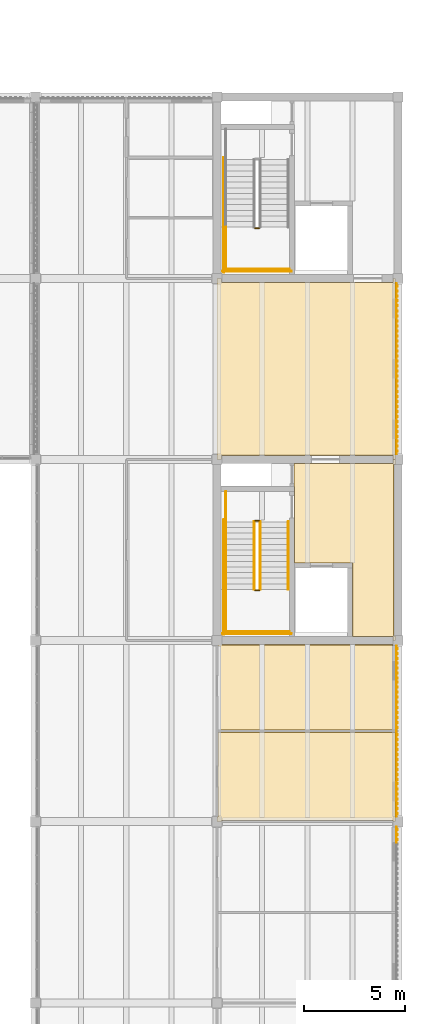
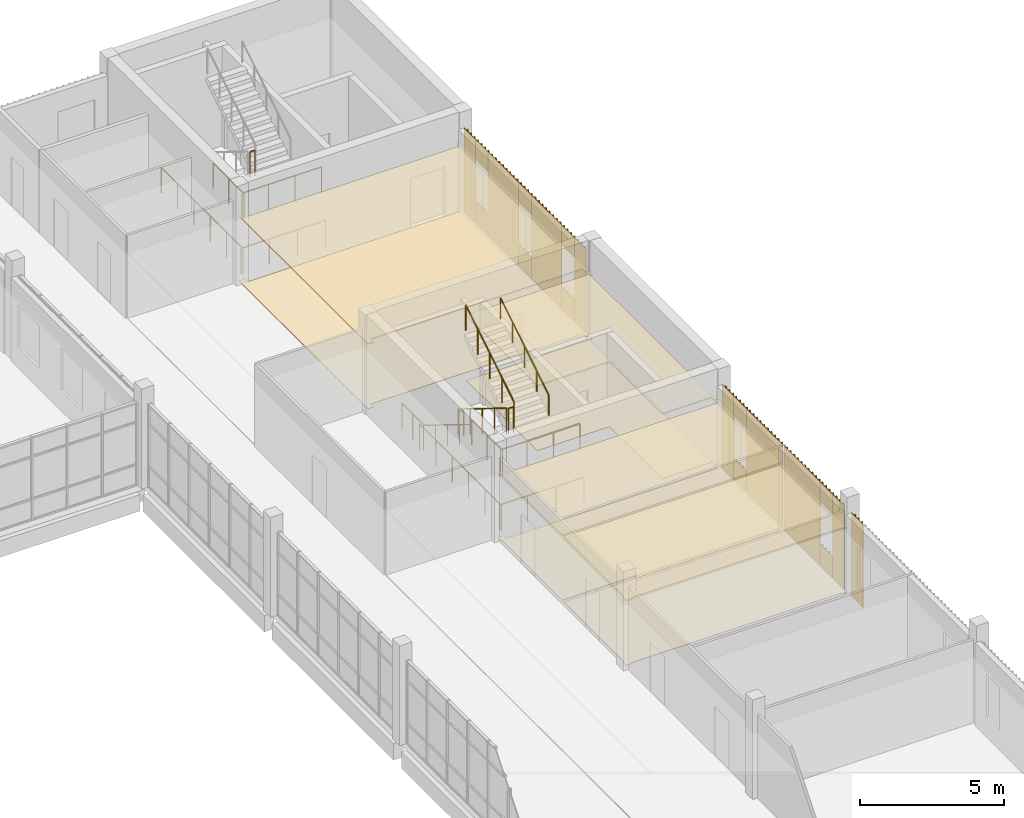
# One storey, part 85 of 92: 27 coverings, 16 railings.
"""IFC4 building model written with IfcOpenShell, lengths in metres."""

from ifc_helpers import new_model, si_unit, direction, frame, origin, origin_2d, place, context, subcontext, project, spatial, polyline, circle, outline, extrude, source, transform, mapped, material, layer, layer_set, type_object, element, save


model = new_model("IFC4")

# Units and contexts
model_context = context("Model", 3, precision=1e-05, world=origin(), true_north=direction((0.0, 1.0)))
body_context = subcontext(model_context, "Body", "Model", "MODEL_VIEW")
ifc_project = project(units=[si_unit("LENGTHUNIT", "METRE"), si_unit("AREAUNIT", "SQUARE_METRE"), si_unit("VOLUMEUNIT", "CUBIC_METRE"), si_unit("PLANEANGLEUNIT", "RADIAN"), si_unit("MASSUNIT", "GRAM", prefix="KILO")], contexts=[model_context])

# Site, building, storey
site_placement = place(None, origin())
site = spatial("IfcSite", under=ifc_project, at=site_placement, CompositionType="ELEMENT")
building_placement = place(site_placement, origin())
building = spatial("IfcBuilding", under=site, at=building_placement, Name="Merrow Basin Faculty of Sciences", CompositionType="ELEMENT")
storey_placement = place(building_placement, frame((0.0, 0.0, 4.5)))
storey = spatial("IfcBuildingStorey", under=building, at=storey_placement, Name="L01", CompositionType="ELEMENT", Elevation=4.5)

# Coverings
ifc_material_1 = material(Name="Carpet tile floor")
ifc_layer_1 = layer(ifc_material_1, 0.02001953125)
ifc_layer_set_1 = layer_set([ifc_layer_1], Name="Carpet tile floor")
covering_type_1 = type_object("IfcCoveringType", Name="Carpet tile floor", PredefinedType="FLOORING", material=ifc_layer_set_1)
covering_1_placement = place(storey_placement, origin())
element("IfcCovering", 1, at=covering_1_placement, inside=storey, type_object=covering_type_1, Name="Floor finish L01-C-029", PredefinedType="FLOORING", context=body_context, shape_type="SweptSolid", body=[
    extrude(outline(polyline([(63.010009765625, 97.239990234375), (63.06005859375, 97.239990234375), (63.06005859375, 101.43994140625), (71.889892578125, 101.43994140625), (71.889892578125, 97.010009765625), (71.760009765625, 97.010009765625), (71.760009765625, 97.06005859375), (63.239990234375, 97.06005859375), (63.239990234375, 97.010009765625), (63.010009765625, 97.010009765625), (63.010009765625, 97.239990234375)])), origin(), (0.0, 0.0, 1.0), 0.02001953125),
])
covering_2_placement = place(storey_placement, origin())
element("IfcCovering", 2, at=covering_2_placement, inside=storey, type_object=covering_type_1, Name="Floor finish L01-C-030", PredefinedType="FLOORING", context=body_context, shape_type="SweptSolid", body=[
    extrude(outline(polyline([(63.010009765625, 105.989990234375), (63.239990234375, 105.989990234375), (63.239990234375, 105.7900390625), (71.760009765625, 105.7900390625), (71.760009765625, 105.989990234375), (71.889892578125, 105.989990234375), (71.889892578125, 101.56005859375), (63.06005859375, 101.56005859375), (63.06005859375, 105.760009765625), (63.010009765625, 105.760009765625), (63.010009765625, 105.989990234375)])), origin(), (0.0, 0.0, 1.0), 0.02001953125),
])
ifc_material_2 = material(Name="Polished terrazzo floor")
ifc_layer_2 = layer(ifc_material_2, 0.02001953125)
ifc_layer_set_2 = layer_set([ifc_layer_2], Name="Polished terrazzo floor")
covering_type_2 = type_object("IfcCoveringType", Name="Polished terrazzo floor", PredefinedType="FLOORING", material=ifc_layer_set_2)
covering_3_placement = place(storey_placement, origin())
element("IfcCovering", 3, at=covering_3_placement, inside=storey, type_object=covering_type_2, Name="Floor finish L01-C-007", PredefinedType="FLOORING", context=body_context, shape_type="SweptSolid", body=[
    extrude(outline(polyline([(71.889892578125, 114.989990234375), (71.889892578125, 114.760009765625), (71.7900390625, 114.760009765625), (71.7900390625, 106.239990234375), (71.889892578125, 106.239990234375), (71.889892578125, 106.010009765625), (71.760009765625, 106.010009765625), (71.760009765625, 106.2099609375), (69.760009765625, 106.2099609375), (69.760009765625, 109.860107421875), (66.860107421875, 109.860107421875), (66.860107421875, 113.659912109375), (66.8349609375, 113.659912109375), (66.8349609375, 114.7900390625), (71.760009765625, 114.7900390625), (71.760009765625, 114.989990234375), (71.889892578125, 114.989990234375)])), origin(), (0.0, 0.0, 1.0), 0.02001953125),
])
covering_4_placement = place(storey_placement, origin())
element("IfcCovering", 4, at=covering_4_placement, inside=storey, type_object=covering_type_2, Name="Floor finish L01-C-019", PredefinedType="FLOORING", context=body_context, shape_type="SweptSolid", body=[
    extrude(outline(polyline([(63.010009765625, 123.989990234375), (63.239990234375, 123.989990234375), (63.239990234375, 123.7900390625), (71.760009765625, 123.7900390625), (71.760009765625, 123.989990234375), (71.889892578125, 123.989990234375), (71.889892578125, 115.010009765625), (71.760009765625, 115.010009765625), (71.760009765625, 115.2099609375), (63.239990234375, 115.2099609375), (63.239990234375, 115.010009765625), (63.010009765625, 115.010009765625), (63.010009765625, 123.989990234375)])), origin(), (0.0, 0.0, 1.0), 0.02001953125),
])

# Railings
ifc_material_3 = material(Name="Steel ASTM A36", Category="steel")
railing_type_1 = type_object("IfcRailingType", Name="Steel guard 1100", PredefinedType="GUARDRAIL", material=ifc_material_3)
railing_1_placement = place(storey_placement, frame((64.85009765625, 111.89990234375, 0.173095703125)))
element("IfcRailing", 5, at=railing_1_placement, inside=storey, type_object=railing_type_1, Name="L01 ST-V2-M stair guard 1", PredefinedType="GUARDRAIL", context=body_context, shape_type="SweptSolid", body=[
    extrude(circle(Radius=0.02392578125, at=origin_2d()), frame((0.0, 0.0, 1.076171875), z_axis=(0.0, -0.850606129759, 0.525803396734), x_axis=(1.0, 0.0, 0.0)), (0.0, 0.0, 1.0), 3.949951171875),
    extrude(circle(Radius=0.02099609375, at=origin_2d()), origin(), (0.0, 0.0, 1.0), 1.052001953125),
    extrude(circle(Radius=0.02099609375, at=origin_2d()), frame((0.0, -0.83984375, 0.519287109375)), (0.0, 0.0, 1.0), 1.052001953125),
    extrude(circle(Radius=0.02099609375, at=origin_2d()), frame((0.0, -1.679931640625, 1.03857421875)), (0.0, 0.0, 1.0), 1.052001953125),
    extrude(circle(Radius=0.02099609375, at=origin_2d()), frame((0.0, -2.52001953125, 1.5576171875)), (0.0, 0.0, 1.0), 1.052001953125),
    extrude(circle(Radius=0.02099609375, at=origin_2d()), frame((0.0, -3.35986328125, 2.076904296875)), (0.0, 0.0, 1.0), 1.052001953125),
])
railing_2_placement = place(storey_placement, frame((64.89990234375, 108.489990234375, 2.25)))
element("IfcRailing", 6, at=railing_2_placement, inside=storey, type_object=railing_type_1, Name="L01 ST-V2-M stair guard 2", PredefinedType="GUARDRAIL", context=body_context, shape_type="SweptSolid", body=[
    extrude(circle(Radius=0.02392578125, at=origin_2d()), frame((0.0, 0.0, 1.076171875), z_axis=(1.0, 0.0, 0.0), x_axis=(0.0, 1.0, 0.0)), (0.0, 0.0, 1.0), 0.2001953125),
    extrude(circle(Radius=0.02099609375, at=origin_2d()), origin(), (0.0, 0.0, 1.0), 1.052001953125),
    extrude(circle(Radius=0.02099609375, at=origin_2d()), frame((0.2001953125, 0.0, 0.0)), (0.0, 0.0, 1.0), 1.052001953125),
])
railing_3_placement = place(storey_placement, frame((63.449951171875, 108.5400390625, 2.25)))
element("IfcRailing", 7, at=railing_3_placement, inside=storey, type_object=railing_type_1, Name="L01 ST-V2-M stair guard 3", PredefinedType="GUARDRAIL", context=body_context, shape_type="SweptSolid", body=[
    extrude(circle(Radius=0.02392578125, at=origin_2d()), frame((0.0, 0.0, 1.076171875), z_axis=(0.0, -1.0, 0.0), x_axis=(1.0, 0.0, 0.0)), (0.0, 0.0, 1.0), 2.14013671875),
    extrude(circle(Radius=0.02099609375, at=origin_2d()), origin(), (0.0, 0.0, 1.0), 1.052001953125),
    extrude(circle(Radius=0.02099609375, at=origin_2d()), frame((0.0, -1.070068359375, 0.0)), (0.0, 0.0, 1.0), 1.052001953125),
    extrude(circle(Radius=0.02099609375, at=origin_2d()), frame((0.0, -2.14013671875, 0.0)), (0.0, 0.0, 1.0), 1.052001953125),
])
railing_4_placement = place(storey_placement, frame((63.39990234375, 106.449951171875, 2.25)))
element("IfcRailing", 8, at=railing_4_placement, inside=storey, type_object=railing_type_1, Name="L01 ST-V2-M stair guard 4", PredefinedType="GUARDRAIL", context=body_context, shape_type="SweptSolid", body=[
    extrude(circle(Radius=0.02392578125, at=origin_2d()), frame((0.0, 0.0, 1.076171875), z_axis=(1.0, 0.0, 0.0), x_axis=(0.0, 1.0, 0.0)), (0.0, 0.0, 1.0), 3.2001953125),
    extrude(circle(Radius=0.02099609375, at=origin_2d()), origin(), (0.0, 0.0, 1.0), 1.052001953125),
    extrude(circle(Radius=0.02099609375, at=origin_2d()), frame((1.066650390625, 0.0, 0.0)), (0.0, 0.0, 1.0), 1.052001953125),
    extrude(circle(Radius=0.02099609375, at=origin_2d()), frame((2.133544921875, 0.0, 0.0)), (0.0, 0.0, 1.0), 1.052001953125),
    extrude(circle(Radius=0.02099609375, at=origin_2d()), frame((3.2001953125, 0.0, 0.0)), (0.0, 0.0, 1.0), 1.052001953125),
])
railing_5_placement = place(storey_placement, frame((65.14990234375, 108.5400390625, 2.423095703125)))
element("IfcRailing", 9, at=railing_5_placement, inside=storey, type_object=railing_type_1, Name="L01 ST-V2-M stair guard 5", PredefinedType="GUARDRAIL", context=body_context, shape_type="SweptSolid", body=[
    extrude(circle(Radius=0.02392578125, at=origin_2d()), frame((0.0, 0.0, 1.076171875), z_axis=(0.0, 0.850606129759, 0.525803396734), x_axis=(-1.0, 0.0, 0.0)), (0.0, 0.0, 1.0), 3.949951171875),
    extrude(circle(Radius=0.02099609375, at=origin_2d()), origin(), (0.0, 0.0, 1.0), 1.052001953125),
    extrude(circle(Radius=0.02099609375, at=origin_2d()), frame((0.0, 0.83984375, 0.519287109375)), (0.0, 0.0, 1.0), 1.052001953125),
    extrude(circle(Radius=0.02099609375, at=origin_2d()), frame((0.0, 1.679931640625, 1.03857421875)), (0.0, 0.0, 1.0), 1.052001953125),
    extrude(circle(Radius=0.02099609375, at=origin_2d()), frame((0.0, 2.52001953125, 1.5576171875)), (0.0, 0.0, 1.0), 1.052001953125),
    extrude(circle(Radius=0.02099609375, at=origin_2d()), frame((0.0, 3.35986328125, 2.076904296875)), (0.0, 0.0, 1.0), 1.052001953125),
])
railing_6_placement = place(storey_placement, frame((64.89990234375, 111.949951171875, 0.0)))
element("IfcRailing", 10, at=railing_6_placement, inside=storey, type_object=railing_type_1, Name="L01 ST-V2-M stair guard 6", PredefinedType="GUARDRAIL", context=body_context, shape_type="SweptSolid", body=[
    extrude(circle(Radius=0.02392578125, at=origin_2d()), frame((0.0, 0.0, 1.076171875), z_axis=(1.0, 0.0, 0.0), x_axis=(0.0, 1.0, 0.0)), (0.0, 0.0, 1.0), 0.2001953125),
    extrude(circle(Radius=0.02099609375, at=origin_2d()), origin(), (0.0, 0.0, 1.0), 1.052001953125),
    extrude(circle(Radius=0.02099609375, at=origin_2d()), frame((0.2001953125, 0.0, 0.0)), (0.0, 0.0, 1.0), 1.052001953125),
])
railing_7_placement = place(storey_placement, frame((63.449951171875, 113.39990234375, 0.0)))
element("IfcRailing", 11, at=railing_7_placement, inside=storey, type_object=railing_type_1, Name="L01 ST-V2-M stair guard 7", PredefinedType="GUARDRAIL", context=body_context, shape_type="SweptSolid", body=[
    extrude(circle(Radius=0.02392578125, at=origin_2d()), frame((0.0, 0.0, 1.076171875), z_axis=(0.0, -1.0, 0.0), x_axis=(1.0, 0.0, 0.0)), (0.0, 0.0, 1.0), 1.5),
    extrude(circle(Radius=0.02099609375, at=origin_2d()), origin(), (0.0, 0.0, 1.0), 1.052001953125),
    extrude(circle(Radius=0.02099609375, at=origin_2d()), frame((0.0, -0.75, 0.0)), (0.0, 0.0, 1.0), 1.052001953125),
    extrude(circle(Radius=0.02099609375, at=origin_2d()), frame((0.0, -1.5, 0.0)), (0.0, 0.0, 1.0), 1.052001953125),
])
railing_8_placement = place(storey_placement, frame((63.35009765625, 112.0, 0.0)))
element("IfcRailing", 12, at=railing_8_placement, inside=storey, type_object=railing_type_1, Name="L01 ST-V2-M stair guard 8", PredefinedType="GUARDRAIL", context=body_context, shape_type="SweptSolid", body=[
    extrude(circle(Radius=0.02392578125, at=origin_2d()), frame((0.0, 0.0, 1.076171875), z_axis=(0.0, -1.0, 0.0), x_axis=(1.0, 0.0, 0.0)), (0.0, 0.0, 1.0), 5.699951171875),
    extrude(circle(Radius=0.02099609375, at=origin_2d()), origin(), (0.0, 0.0, 1.0), 1.052001953125),
    extrude(circle(Radius=0.02099609375, at=origin_2d()), frame((0.0, -1.139892578125, 0.0)), (0.0, 0.0, 1.0), 1.052001953125),
    extrude(circle(Radius=0.02099609375, at=origin_2d()), frame((0.0, -2.280029296875, 0.0)), (0.0, 0.0, 1.0), 1.052001953125),
    extrude(circle(Radius=0.02099609375, at=origin_2d()), frame((0.0, -3.419921875, 0.0)), (0.0, 0.0, 1.0), 1.052001953125),
    extrude(circle(Radius=0.02099609375, at=origin_2d()), frame((0.0, -4.56005859375, 0.0)), (0.0, 0.0, 1.0), 1.052001953125),
    extrude(circle(Radius=0.02099609375, at=origin_2d()), frame((0.0, -5.699951171875, 0.0)), (0.0, 0.0, 1.0), 1.052001953125),
])
railing_9_placement = place(storey_placement, frame((63.300048828125, 106.35009765625, 0.0)))
element("IfcRailing", 13, at=railing_9_placement, inside=storey, type_object=railing_type_1, Name="L01 ST-V2-M stair guard 9", PredefinedType="GUARDRAIL", context=body_context, shape_type="SweptSolid", body=[
    extrude(circle(Radius=0.02392578125, at=origin_2d()), frame((0.0, 0.0, 1.076171875), z_axis=(1.0, 0.0, 0.0), x_axis=(0.0, 1.0, 0.0)), (0.0, 0.0, 1.0), 3.39990234375),
    extrude(circle(Radius=0.02099609375, at=origin_2d()), origin(), (0.0, 0.0, 1.0), 1.052001953125),
    extrude(circle(Radius=0.02099609375, at=origin_2d()), frame((1.13330078125, 0.0, 0.0)), (0.0, 0.0, 1.0), 1.052001953125),
    extrude(circle(Radius=0.02099609375, at=origin_2d()), frame((2.2666015625, 0.0, 0.0)), (0.0, 0.0, 1.0), 1.052001953125),
    extrude(circle(Radius=0.02099609375, at=origin_2d()), frame((3.39990234375, 0.0, 0.0)), (0.0, 0.0, 1.0), 1.052001953125),
])
railing_10_placement = place(storey_placement, frame((64.89990234375, 126.489990234375, 2.25)))
element("IfcRailing", 14, at=railing_10_placement, inside=storey, type_object=railing_type_1, Name="L01 ST-V2-N stair guard 2", PredefinedType="GUARDRAIL", context=body_context, shape_type="SweptSolid", body=[
    extrude(circle(Radius=0.02392578125, at=origin_2d()), frame((0.0, 0.0, 1.076171875), z_axis=(1.0, 0.0, 0.0), x_axis=(0.0, 1.0, 0.0)), (0.0, 0.0, 1.0), 0.2001953125),
    extrude(circle(Radius=0.02099609375, at=origin_2d()), origin(), (0.0, 0.0, 1.0), 1.052001953125),
    extrude(circle(Radius=0.02099609375, at=origin_2d()), frame((0.2001953125, 0.0, 0.0)), (0.0, 0.0, 1.0), 1.052001953125),
])
railing_11_placement = place(storey_placement, frame((63.449951171875, 126.5400390625, 2.25)))
element("IfcRailing", 15, at=railing_11_placement, inside=storey, type_object=railing_type_1, Name="L01 ST-V2-N stair guard 3", PredefinedType="GUARDRAIL", context=body_context, shape_type="SweptSolid", body=[
    extrude(circle(Radius=0.02392578125, at=origin_2d()), frame((0.0, 0.0, 1.076171875), z_axis=(0.0, -1.0, 0.0), x_axis=(1.0, 0.0, 0.0)), (0.0, 0.0, 1.0), 2.14013671875),
    extrude(circle(Radius=0.02099609375, at=origin_2d()), origin(), (0.0, 0.0, 1.0), 1.052001953125),
    extrude(circle(Radius=0.02099609375, at=origin_2d()), frame((0.0, -1.070068359375, 0.0)), (0.0, 0.0, 1.0), 1.052001953125),
    extrude(circle(Radius=0.02099609375, at=origin_2d()), frame((0.0, -2.14013671875, 0.0)), (0.0, 0.0, 1.0), 1.052001953125),
])
railing_12_placement = place(storey_placement, frame((63.39990234375, 124.449951171875, 2.25)))
element("IfcRailing", 16, at=railing_12_placement, inside=storey, type_object=railing_type_1, Name="L01 ST-V2-N stair guard 4", PredefinedType="GUARDRAIL", context=body_context, shape_type="SweptSolid", body=[
    extrude(circle(Radius=0.02392578125, at=origin_2d()), frame((0.0, 0.0, 1.076171875), z_axis=(1.0, 0.0, 0.0), x_axis=(0.0, 1.0, 0.0)), (0.0, 0.0, 1.0), 3.2001953125),
    extrude(circle(Radius=0.02099609375, at=origin_2d()), origin(), (0.0, 0.0, 1.0), 1.052001953125),
    extrude(circle(Radius=0.02099609375, at=origin_2d()), frame((1.066650390625, 0.0, 0.0)), (0.0, 0.0, 1.0), 1.052001953125),
    extrude(circle(Radius=0.02099609375, at=origin_2d()), frame((2.133544921875, 0.0, 0.0)), (0.0, 0.0, 1.0), 1.052001953125),
    extrude(circle(Radius=0.02099609375, at=origin_2d()), frame((3.2001953125, 0.0, 0.0)), (0.0, 0.0, 1.0), 1.052001953125),
])
railing_13_placement = place(storey_placement, frame((63.35009765625, 130.0, 0.0)))
element("IfcRailing", 17, at=railing_13_placement, inside=storey, type_object=railing_type_1, Name="L01 ST-V2-N stair guard 8", PredefinedType="GUARDRAIL", context=body_context, shape_type="SweptSolid", body=[
    extrude(circle(Radius=0.02392578125, at=origin_2d()), frame((0.0, 0.0, 1.076171875), z_axis=(0.0, -1.0, 0.0), x_axis=(1.0, 0.0, 0.0)), (0.0, 0.0, 1.0), 5.699951171875),
    extrude(circle(Radius=0.02099609375, at=origin_2d()), origin(), (0.0, 0.0, 1.0), 1.052001953125),
    extrude(circle(Radius=0.02099609375, at=origin_2d()), frame((0.0, -1.139892578125, 0.0)), (0.0, 0.0, 1.0), 1.052001953125),
    extrude(circle(Radius=0.02099609375, at=origin_2d()), frame((0.0, -2.280029296875, 0.0)), (0.0, 0.0, 1.0), 1.052001953125),
    extrude(circle(Radius=0.02099609375, at=origin_2d()), frame((0.0, -3.419921875, 0.0)), (0.0, 0.0, 1.0), 1.052001953125),
    extrude(circle(Radius=0.02099609375, at=origin_2d()), frame((0.0, -4.56005859375, 0.0)), (0.0, 0.0, 1.0), 1.052001953125),
    extrude(circle(Radius=0.02099609375, at=origin_2d()), frame((0.0, -5.699951171875, 0.0)), (0.0, 0.0, 1.0), 1.052001953125),
])
railing_14_placement = place(storey_placement, frame((63.300048828125, 124.35009765625, 0.0)))
element("IfcRailing", 18, at=railing_14_placement, inside=storey, type_object=railing_type_1, Name="L01 ST-V2-N stair guard 9", PredefinedType="GUARDRAIL", context=body_context, shape_type="SweptSolid", body=[
    extrude(circle(Radius=0.02392578125, at=origin_2d()), frame((0.0, 0.0, 1.076171875), z_axis=(1.0, 0.0, 0.0), x_axis=(0.0, 1.0, 0.0)), (0.0, 0.0, 1.0), 3.39990234375),
    extrude(circle(Radius=0.02099609375, at=origin_2d()), origin(), (0.0, 0.0, 1.0), 1.052001953125),
    extrude(circle(Radius=0.02099609375, at=origin_2d()), frame((1.13330078125, 0.0, 0.0)), (0.0, 0.0, 1.0), 1.052001953125),
    extrude(circle(Radius=0.02099609375, at=origin_2d()), frame((2.2666015625, 0.0, 0.0)), (0.0, 0.0, 1.0), 1.052001953125),
    extrude(circle(Radius=0.02099609375, at=origin_2d()), frame((3.39990234375, 0.0, 0.0)), (0.0, 0.0, 1.0), 1.052001953125),
])
ifc_material_4 = material(Name="Steel ASTM A36", Category="steel")
railing_type_2 = type_object("IfcRailingType", Name="Steel handrail 900", PredefinedType="HANDRAIL", material=ifc_material_4)
railing_15_placement = place(storey_placement, frame((63.449951171875, 111.89990234375, 0.173095703125)))
element("IfcRailing", 19, at=railing_15_placement, inside=storey, type_object=railing_type_2, Name="L01 ST-V2-M stair handrail 1", PredefinedType="HANDRAIL", context=body_context, shape_type="SweptSolid", body=[
    extrude(circle(Radius=0.02392578125, at=origin_2d()), frame((0.0, 0.0, 0.8759765625), z_axis=(0.0, -0.850606129759, 0.525803396734), x_axis=(1.0, 0.0, 0.0)), (0.0, 0.0, 1.0), 3.949951171875),
    extrude(circle(Radius=0.02099609375, at=origin_2d()), origin(), (0.0, 0.0, 1.0), 0.851806640625),
    extrude(circle(Radius=0.02099609375, at=origin_2d()), frame((0.0, -0.83984375, 0.519287109375)), (0.0, 0.0, 1.0), 0.851806640625),
    extrude(circle(Radius=0.02099609375, at=origin_2d()), frame((0.0, -1.679931640625, 1.03857421875)), (0.0, 0.0, 1.0), 0.851806640625),
    extrude(circle(Radius=0.02099609375, at=origin_2d()), frame((0.0, -2.52001953125, 1.5576171875)), (0.0, 0.0, 1.0), 0.851806640625),
    extrude(circle(Radius=0.02099609375, at=origin_2d()), frame((0.0, -3.35986328125, 2.076904296875)), (0.0, 0.0, 1.0), 0.851806640625),
])
railing_16_placement = place(storey_placement, frame((66.550048828125, 108.5400390625, 2.423095703125)))
element("IfcRailing", 20, at=railing_16_placement, inside=storey, type_object=railing_type_2, Name="L01 ST-V2-M stair handrail 2", PredefinedType="HANDRAIL", context=body_context, shape_type="SweptSolid", body=[
    extrude(circle(Radius=0.02392578125, at=origin_2d()), frame((0.0, 0.0, 0.8759765625), z_axis=(0.0, 0.850606129759, 0.525803396734), x_axis=(-1.0, 0.0, 0.0)), (0.0, 0.0, 1.0), 3.949951171875),
    extrude(circle(Radius=0.02099609375, at=origin_2d()), origin(), (0.0, 0.0, 1.0), 0.851806640625),
    extrude(circle(Radius=0.02099609375, at=origin_2d()), frame((0.0, 0.83984375, 0.519287109375)), (0.0, 0.0, 1.0), 0.851806640625),
    extrude(circle(Radius=0.02099609375, at=origin_2d()), frame((0.0, 1.679931640625, 1.03857421875)), (0.0, 0.0, 1.0), 0.851806640625),
    extrude(circle(Radius=0.02099609375, at=origin_2d()), frame((0.0, 2.52001953125, 1.5576171875)), (0.0, 0.0, 1.0), 0.851806640625),
    extrude(circle(Radius=0.02099609375, at=origin_2d()), frame((0.0, 3.35986328125, 2.076904296875)), (0.0, 0.0, 1.0), 0.851806640625),
])

# Coverings
ifc_material_5 = material(Name="Mineral fibre ceiling tile")
ifc_layer_3 = layer(ifc_material_5, 0.050048828125)
ifc_layer_set_3 = layer_set([ifc_layer_3], Name="Suspended acoustic ceiling tile")
covering_type_3 = type_object("IfcCoveringType", Name="Suspended acoustic ceiling tile", PredefinedType="CEILING", material=ifc_layer_set_3)
covering_5_placement = place(storey_placement, frame((0.0, 0.0, 2.75)))
element("IfcCovering", 21, at=covering_5_placement, inside=storey, type_object=covering_type_3, Name="Ceiling L01-C-007", PredefinedType="CEILING", context=body_context, shape_type="SweptSolid", body=[
    extrude(outline(polyline([(71.89990234375, 115.0), (71.89990234375, 114.75), (71.800048828125, 114.75), (71.800048828125, 106.25), (71.89990234375, 106.25), (71.89990234375, 106.0), (71.75, 106.0), (71.75, 106.199951171875), (69.75, 106.199951171875), (69.75, 109.85009765625), (66.85009765625, 109.85009765625), (66.85009765625, 113.64990234375), (66.824951171875, 113.64990234375), (66.824951171875, 114.800048828125), (71.75, 114.800048828125), (71.75, 115.0), (71.89990234375, 115.0)])), origin(), (0.0, 0.0, 1.0), 0.050048828125),
])
covering_6_placement = place(storey_placement, frame((0.0, 0.0, 2.75)))
element("IfcCovering", 22, at=covering_6_placement, inside=storey, type_object=covering_type_3, Name="Ceiling L01-C-019", PredefinedType="CEILING", context=body_context, shape_type="SweptSolid", body=[
    extrude(outline(polyline([(63.0, 124.0), (63.25, 124.0), (63.25, 123.800048828125), (71.75, 123.800048828125), (71.75, 124.0), (71.89990234375, 124.0), (71.89990234375, 115.0), (71.75, 115.0), (71.75, 115.199951171875), (63.25, 115.199951171875), (63.25, 115.0), (63.0, 115.0), (63.0, 124.0)])), origin(), (0.0, 0.0, 1.0), 0.050048828125),
])
covering_7_placement = place(storey_placement, frame((0.0, 0.0, 2.75)))
element("IfcCovering", 23, at=covering_7_placement, inside=storey, type_object=covering_type_3, Name="Ceiling L01-C-029", PredefinedType="CEILING", context=body_context, shape_type="SweptSolid", body=[
    extrude(outline(polyline([(63.0, 97.25), (63.050048828125, 97.25), (63.050048828125, 101.449951171875), (71.89990234375, 101.449951171875), (71.89990234375, 97.0), (71.75, 97.0), (71.75, 97.050048828125), (63.25, 97.050048828125), (63.25, 97.0), (63.0, 97.0), (63.0, 97.25)])), origin(), (0.0, 0.0, 1.0), 0.050048828125),
])
covering_8_placement = place(storey_placement, frame((0.0, 0.0, 2.75)))
element("IfcCovering", 24, at=covering_8_placement, inside=storey, type_object=covering_type_3, Name="Ceiling L01-C-030", PredefinedType="CEILING", context=body_context, shape_type="SweptSolid", body=[
    extrude(outline(polyline([(63.0, 106.0), (63.25, 106.0), (63.25, 105.800048828125), (71.75, 105.800048828125), (71.75, 106.0), (71.89990234375, 106.0), (71.89990234375, 101.550048828125), (63.050048828125, 101.550048828125), (63.050048828125, 105.75), (63.0, 105.75), (63.0, 106.0)])), origin(), (0.0, 0.0, 1.0), 0.050048828125),
])
ifc_material_6 = material(Name="Larch timber", Category="wood")
ifc_layer_4 = layer(ifc_material_6, 0.0849609375)
ifc_layer_set_4 = layer_set([ifc_layer_4], Name="Larch batten cladding 85")
covering_type_4 = type_object("IfcCoveringType", Name="Larch batten cladding 85", PredefinedType="CLADDING", material=ifc_layer_set_4)
shared_shape_1 = source(origin(), body_context, "Body", "SweptSolid", [
    extrude(outline(polyline([(0.0, 0.0), (0.89990234375, 0.0), (0.89990234375, 0.02490234375), (0.85009765625, 0.02490234375), (0.85009765625, 0.0849609375), (0.800048828125, 0.0849609375), (0.800048828125, 0.02490234375), (0.60009765625, 0.02490234375), (0.60009765625, 0.0849609375), (0.550048828125, 0.0849609375), (0.550048828125, 0.02490234375), (0.35009765625, 0.02490234375), (0.35009765625, 0.0849609375), (0.300048828125, 0.0849609375), (0.300048828125, 0.02490234375), (0.10009765625, 0.02490234375), (0.10009765625, 0.0849609375), (0.050048828125, 0.0849609375), (0.050048828125, 0.02490234375), (0.0, 0.02490234375), (0.0, 0.0)])), origin(), (0.0, 0.0, 1.0), 0.85009765625),
])
for number, where, z_axis, x_axis, name in (
    (25, (71.916015625, 98.949951171875, 2.699951171875), (0.0, 0.0, 1.0), (0.0, -1.0, 0.0), "Larch batten cladding"),
    (26, (71.916015625, 104.949951171875, 2.699951171875), (0.0, 0.0, 1.0), (0.0, -1.0, 0.0), "Larch batten cladding"),
    (27, (71.916015625, 122.949951171875, 2.699951171875), (0.0, 0.0, 1.0), (0.0, -1.0, 0.0), "Larch batten cladding"),
    (28, (71.916015625, 119.949951171875, 2.699951171875), (0.0, 0.0, 1.0), (0.0, -1.0, 0.0), "Larch batten cladding"),
    (29, (71.916015625, 116.949951171875, 2.699951171875), (0.0, 0.0, 1.0), (0.0, -1.0, 0.0), "Larch batten cladding"),
):
    element("IfcCovering", number, at=place(storey_placement, frame(where, z_axis=z_axis, x_axis=x_axis)), inside=storey, type_object=covering_type_4, Name=name, PredefinedType="CLADDING", context=body_context, shape_type="MappedRepresentation", body=[
        mapped(shared_shape_1, transform((0.0, 0.0, 0.0), scale=1.0)),
    ])
shared_shape_2 = source(origin(), body_context, "Body", "SweptSolid", [
    extrude(outline(polyline([(0.0, 0.0), (0.89990234375, 0.0), (0.89990234375, 0.02490234375), (0.85009765625, 0.02490234375), (0.85009765625, 0.0849609375), (0.800048828125, 0.0849609375), (0.800048828125, 0.02490234375), (0.60009765625, 0.02490234375), (0.60009765625, 0.0849609375), (0.550048828125, 0.0849609375), (0.550048828125, 0.02490234375), (0.35009765625, 0.02490234375), (0.35009765625, 0.0849609375), (0.300048828125, 0.0849609375), (0.300048828125, 0.02490234375), (0.10009765625, 0.02490234375), (0.10009765625, 0.0849609375), (0.050048828125, 0.0849609375), (0.050048828125, 0.02490234375), (0.0, 0.02490234375), (0.0, 0.0)])), origin(), (0.0, 0.0, 1.0), 0.89990234375),
])
for number, where, z_axis, x_axis, name in (
    (30, (71.916015625, 98.949951171875, 0.0), (0.0, 0.0, 1.0), (0.0, -1.0, 0.0), "Larch batten cladding"),
    (31, (71.916015625, 104.949951171875, 0.0), (0.0, 0.0, 1.0), (0.0, -1.0, 0.0), "Larch batten cladding"),
    (32, (71.916015625, 122.949951171875, 0.0), (0.0, 0.0, 1.0), (0.0, -1.0, 0.0), "Larch batten cladding"),
    (33, (71.916015625, 119.949951171875, 0.0), (0.0, 0.0, 1.0), (0.0, -1.0, 0.0), "Larch batten cladding"),
    (34, (71.916015625, 116.949951171875, 0.0), (0.0, 0.0, 1.0), (0.0, -1.0, 0.0), "Larch batten cladding"),
):
    element("IfcCovering", number, at=place(storey_placement, frame(where, z_axis=z_axis, x_axis=x_axis)), inside=storey, type_object=covering_type_4, Name=name, PredefinedType="CLADDING", context=body_context, shape_type="MappedRepresentation", body=[
        mapped(shared_shape_2, transform((0.0, 0.0, 0.0), scale=1.0)),
    ])
shared_shape_3 = source(origin(), body_context, "Body", "SweptSolid", [
    extrude(outline(polyline([(0.0, 0.0), (0.800048828125, 0.0), (0.800048828125, 0.02490234375), (0.675048828125, 0.02490234375), (0.675048828125, 0.0849609375), (0.625, 0.0849609375), (0.625, 0.02490234375), (0.425048828125, 0.02490234375), (0.425048828125, 0.0849609375), (0.375, 0.0849609375), (0.375, 0.02490234375), (0.175048828125, 0.02490234375), (0.175048828125, 0.0849609375), (0.125, 0.0849609375), (0.125, 0.02490234375), (0.0, 0.02490234375), (0.0, 0.0)])), origin(), (0.0, 0.0, 1.0), 3.550048828125),
])
for number, where, z_axis, x_axis, name in (
    (35, (71.916015625, 96.75, 0.0), (0.0, 0.0, 1.0), (0.0, -1.0, 0.0), "Larch batten cladding"),
    (36, (71.916015625, 98.050048828125, 0.0), (0.0, 0.0, 1.0), (0.0, -1.0, 0.0), "Larch batten cladding"),
    (37, (71.916015625, 105.75, 0.0), (0.0, 0.0, 1.0), (0.0, -1.0, 0.0), "Larch batten cladding"),
    (38, (71.916015625, 123.75, 0.0), (0.0, 0.0, 1.0), (0.0, -1.0, 0.0), "Larch batten cladding"),
    (39, (71.916015625, 116.050048828125, 0.0), (0.0, 0.0, 1.0), (0.0, -1.0, 0.0), "Larch batten cladding"),
):
    element("IfcCovering", number, at=place(storey_placement, frame(where, z_axis=z_axis, x_axis=x_axis)), inside=storey, type_object=covering_type_4, Name=name, PredefinedType="CLADDING", context=body_context, shape_type="MappedRepresentation", body=[
        mapped(shared_shape_3, transform((0.0, 0.0, 0.0), scale=1.0)),
    ])
shared_shape_4 = source(origin(), body_context, "Body", "SweptSolid", [
    extrude(outline(polyline([(0.0, 0.0), (2.10009765625, 0.0), (2.10009765625, 0.02490234375), (1.949951171875, 0.02490234375), (1.949951171875, 0.0849609375), (1.89990234375, 0.0849609375), (1.89990234375, 0.02490234375), (1.699951171875, 0.02490234375), (1.699951171875, 0.0849609375), (1.64990234375, 0.0849609375), (1.64990234375, 0.02490234375), (1.449951171875, 0.02490234375), (1.449951171875, 0.0849609375), (1.39990234375, 0.0849609375), (1.39990234375, 0.02490234375), (1.199951171875, 0.02490234375), (1.199951171875, 0.0849609375), (1.14990234375, 0.0849609375), (1.14990234375, 0.02490234375), (0.949951171875, 0.02490234375), (0.949951171875, 0.0849609375), (0.89990234375, 0.0849609375), (0.89990234375, 0.02490234375), (0.699951171875, 0.02490234375), (0.699951171875, 0.0849609375), (0.64990234375, 0.0849609375), (0.64990234375, 0.02490234375), (0.449951171875, 0.02490234375), (0.449951171875, 0.0849609375), (0.39990234375, 0.0849609375), (0.39990234375, 0.02490234375), (0.199951171875, 0.02490234375), (0.199951171875, 0.0849609375), (0.14990234375, 0.0849609375), (0.14990234375, 0.02490234375), (0.0, 0.02490234375), (0.0, 0.0)])), origin(), (0.0, 0.0, 1.0), 3.550048828125),
])
for number, where, z_axis, x_axis, name in (
    (40, (71.916015625, 122.050048828125, 0.0), (0.0, 0.0, 1.0), (0.0, -1.0, 0.0), "Larch batten cladding"),
    (41, (71.916015625, 119.050048828125, 0.0), (0.0, 0.0, 1.0), (0.0, -1.0, 0.0), "Larch batten cladding"),
):
    element("IfcCovering", number, at=place(storey_placement, frame(where, z_axis=z_axis, x_axis=x_axis)), inside=storey, type_object=covering_type_4, Name=name, PredefinedType="CLADDING", context=body_context, shape_type="MappedRepresentation", body=[
        mapped(shared_shape_4, transform((0.0, 0.0, 0.0), scale=1.0)),
    ])
shared_shape_5 = source(origin(), body_context, "Body", "SweptSolid", [
    extrude(outline(polyline([(0.0, 0.0), (2.5, 0.0), (2.5, 0.02490234375), (2.39990234375, 0.02490234375), (2.39990234375, 0.0849609375), (2.35009765625, 0.0849609375), (2.35009765625, 0.02490234375), (2.14990234375, 0.02490234375), (2.14990234375, 0.0849609375), (2.10009765625, 0.0849609375), (2.10009765625, 0.02490234375), (1.89990234375, 0.02490234375), (1.89990234375, 0.0849609375), (1.85009765625, 0.0849609375), (1.85009765625, 0.02490234375), (1.64990234375, 0.02490234375), (1.64990234375, 0.0849609375), (1.60009765625, 0.0849609375), (1.60009765625, 0.02490234375), (1.39990234375, 0.02490234375), (1.39990234375, 0.0849609375), (1.35009765625, 0.0849609375), (1.35009765625, 0.02490234375), (1.14990234375, 0.02490234375), (1.14990234375, 0.0849609375), (1.10009765625, 0.0849609375), (1.10009765625, 0.02490234375), (0.89990234375, 0.02490234375), (0.89990234375, 0.0849609375), (0.85009765625, 0.0849609375), (0.85009765625, 0.02490234375), (0.64990234375, 0.02490234375), (0.64990234375, 0.0849609375), (0.60009765625, 0.0849609375), (0.60009765625, 0.02490234375), (0.39990234375, 0.02490234375), (0.39990234375, 0.0849609375), (0.35009765625, 0.0849609375), (0.35009765625, 0.02490234375), (0.14990234375, 0.02490234375), (0.14990234375, 0.0849609375), (0.10009765625, 0.0849609375), (0.10009765625, 0.02490234375), (0.0, 0.02490234375), (0.0, 0.0)])), origin(), (0.0, 0.0, 1.0), 3.550048828125),
])
for number, where, z_axis, x_axis, name in (
    (42, (71.916015625, 101.449951171875, 0.0), (0.0, 0.0, 1.0), (0.0, -1.0, 0.0), "Larch batten cladding"),
    (43, (71.916015625, 104.050048828125, 0.0), (0.0, 0.0, 1.0), (0.0, -1.0, 0.0), "Larch batten cladding"),
):
    element("IfcCovering", number, at=place(storey_placement, frame(where, z_axis=z_axis, x_axis=x_axis)), inside=storey, type_object=covering_type_4, Name=name, PredefinedType="CLADDING", context=body_context, shape_type="MappedRepresentation", body=[
        mapped(shared_shape_5, transform((0.0, 0.0, 0.0), scale=1.0)),
    ])

save(model, "model.ifc")
